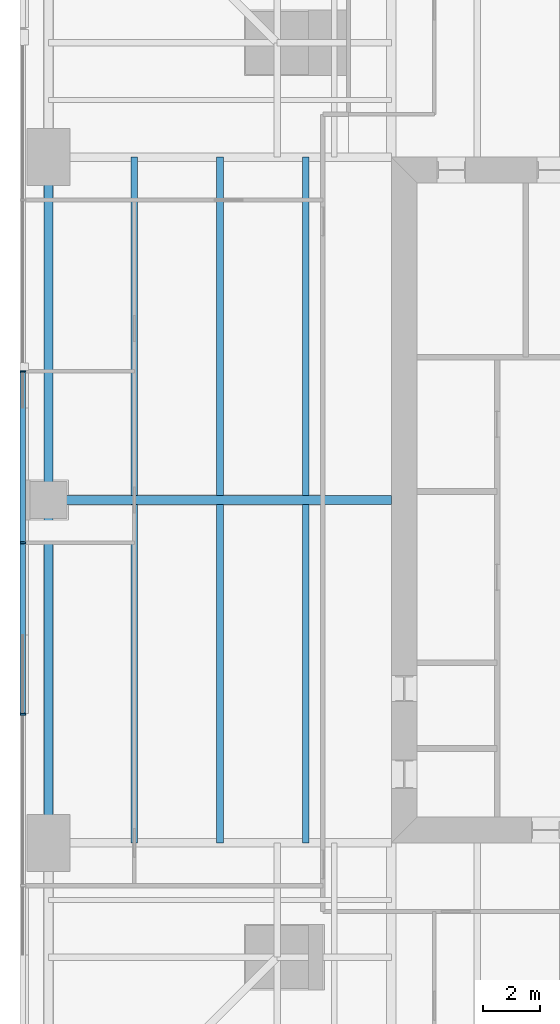
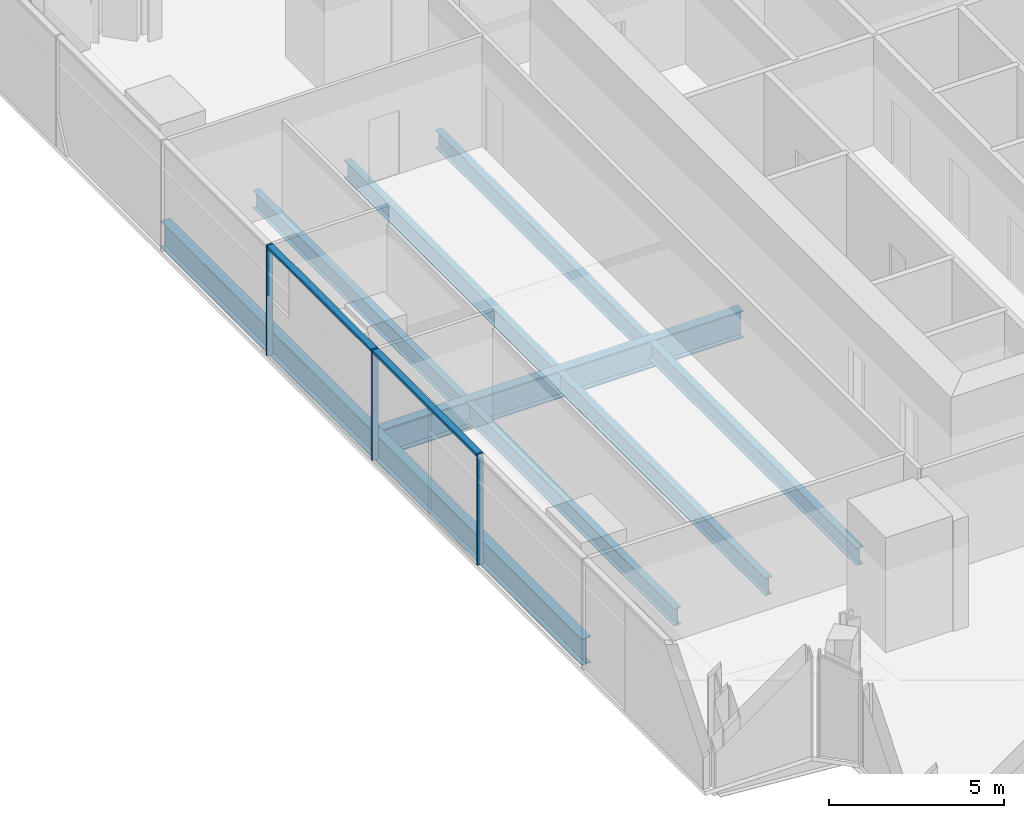
# One storey, part 4 of 13: 9 beams, 5 members, 1 element without a shape of its own.
"""IFC4 building model written with IfcOpenShell, lengths in metres."""

from ifc_helpers import new_model, si_unit, direction, frame, origin, origin_2d, place, context, subcontext, project, spatial, rectangle, i_section, extrude, material, material_profile, profile_set, type_object, element, aggregate, save


model = new_model("IFC4")

# Units and contexts
model_context = context("Model", 3, precision=1e-05, world=origin(), true_north=direction((0.0, 1.0)))
body_context = subcontext(model_context, "Body", "Model", "MODEL_VIEW")
ifc_project = project(units=[si_unit("LENGTHUNIT", "METRE"), si_unit("AREAUNIT", "SQUARE_METRE"), si_unit("VOLUMEUNIT", "CUBIC_METRE"), si_unit("PLANEANGLEUNIT", "RADIAN"), si_unit("MASSUNIT", "GRAM", prefix="KILO")], contexts=[model_context])

# Site, building, storey
site_placement = place(None, origin())
site = spatial("IfcSite", under=ifc_project, at=site_placement, CompositionType="ELEMENT")
building_placement = place(site_placement, origin())
building = spatial("IfcBuilding", under=site, at=building_placement, Name="Fenwick Lantern Interchange", CompositionType="ELEMENT")
storey_placement = place(building_placement, frame((0.0, 0.0, 142.39990234375)))
storey = spatial("IfcBuildingStorey", under=building, at=storey_placement, Name="L33", CompositionType="ELEMENT", Elevation=142.39990234375)

# Beams
ifc_material_1 = material(Name="Steel ASTM A992 Grade 50", Category="steel")
ifc_material_profile_1 = material_profile(ifc_material_1, i_section(OverallWidth=0.3046875, OverallDepth=0.911865234375, WebThickness=0.015869140625, FlangeThickness=0.02392578125, at=origin_2d()), Name="W36X150")
ifc_profile_set_1 = profile_set([ifc_material_profile_1], Name="Steel ASTM A992 Grade 50")
beam_type_1 = type_object("IfcBeamType", Name="EDGE BEAM W36X150", PredefinedType="SPANDREL", material=ifc_profile_set_1)
for number, where, z_axis, x_axis, name in (
    (1, (1.0, 37.0, -0.605712890625), (0.0, -1.0, 0.0), (1.0, 0.0, 0.0), "L33/FR/W/EB2"),
    (2, (1.0, 25.0, -0.605712890625), (0.0, -1.0, 0.0), (1.0, 0.0, 0.0), "L33/FR/W/EB3"),
):
    element("IfcBeam", number, at=place(storey_placement, frame(where, z_axis=z_axis, x_axis=x_axis)), inside=storey, type_object=beam_type_1, Name=name, PredefinedType="SPANDREL", context=body_context, shape_type="SweptSolid", body=[
        extrude(i_section(OverallWidth=0.3046875, OverallDepth=0.911865234375, WebThickness=0.015869140625, FlangeThickness=0.02392578125, at=origin_2d()), origin(), (0.0, 0.0, 1.0), 12.0),
    ])
ifc_material_profile_2 = material_profile(ifc_material_1, i_section(OverallWidth=0.22900390625, OverallDepth=0.612060546875, WebThickness=0.011962890625, FlangeThickness=0.01953125, at=origin_2d()), Name="W24X84")
ifc_profile_set_2 = profile_set([ifc_material_profile_2], Name="Steel ASTM A992 Grade 50")
beam_type_2 = type_object("IfcBeamType", Name="FLOOR BEAM W24X84", PredefinedType="BEAM", material=ifc_profile_set_2)
for number, where, z_axis, x_axis, name in (
    (3, (4.0, 37.0, -0.4560546875), (0.0, -1.0, 0.0), (1.0, 0.0, 0.0), "L33/FR/W/B01"),
    (4, (7.0, 37.0, -0.4560546875), (0.0, -1.0, 0.0), (1.0, 0.0, 0.0), "L33/FR/W/B02"),
    (5, (10.0, 37.0, -0.4560546875), (0.0, -1.0, 0.0), (1.0, 0.0, 0.0), "L33/FR/W/B03"),
    (6, (4.0, 24.844970703125, -0.4560546875), (0.0, -1.0, 0.0), (1.0, 0.0, 0.0), "L33/FR/W/B04"),
    (7, (7.0, 24.844970703125, -0.4560546875), (0.0, -1.0, 0.0), (1.0, 0.0, 0.0), "L33/FR/W/B05"),
    (8, (10.0, 24.844970703125, -0.4560546875), (0.0, -1.0, 0.0), (1.0, 0.0, 0.0), "L33/FR/W/B06"),
):
    element("IfcBeam", number, at=place(storey_placement, frame(where, z_axis=z_axis, x_axis=x_axis)), inside=storey, type_object=beam_type_2, Name=name, PredefinedType="BEAM", context=body_context, shape_type="SweptSolid", body=[
        extrude(i_section(OverallWidth=0.22900390625, OverallDepth=0.612060546875, WebThickness=0.011962890625, FlangeThickness=0.01953125, at=origin_2d()), origin(), (0.0, 0.0, 1.0), 11.844970703125),
    ])
ifc_material_profile_3 = material_profile(ifc_material_1, i_section(OverallWidth=0.309814453125, OverallDepth=0.949951171875, WebThickness=0.0244140625, FlangeThickness=0.0439453125, at=origin_2d()), Name="W36X256")
ifc_profile_set_3 = profile_set([ifc_material_profile_3], Name="Steel ASTM A992 Grade 50")
beam_type_3 = type_object("IfcBeamType", Name="MOMENT-CONNECTED GIRDER W36X256", PredefinedType="BEAM", material=ifc_profile_set_3)
beam_placement = place(storey_placement, frame((1.0, 25.0, -0.625), z_axis=(1.0, 0.0, 0.0), x_axis=(0.0, 1.0, 0.0)))
element("IfcBeam", 9, at=beam_placement, inside=storey, type_object=beam_type_3, Name="L33/FR/W/R02", PredefinedType="BEAM", context=body_context, shape_type="SweptSolid", body=[
    extrude(i_section(OverallWidth=0.309814453125, OverallDepth=0.949951171875, WebThickness=0.0244140625, FlangeThickness=0.0439453125, at=origin_2d()), origin(), (0.0, 0.0, 1.0), 12.0),
])

# Curtain wall, members
ifc_material_2 = material(Name="Aluminium curtain wall frame", Category="aluminium")
curtain_wall_type = type_object("IfcCurtainWallType", Name="OFFICE CURTAIN WALL", PredefinedType="USERDEFINED", material=ifc_material_2)
curtain_wall_placement = place(storey_placement, origin())
curtain_wall = element("IfcCurtainWall", 10, at=curtain_wall_placement, inside=storey, type_object=curtain_wall_type, Name="Office curtain wall 13", ObjectType="OFFICE CURTAIN WALL", PredefinedType="USERDEFINED")
ifc_material_3 = material(Name="Aluminium extrusion", Category="aluminium")
ifc_material_profile_4 = material_profile(ifc_material_3, rectangle(XDim=0.199951171875, YDim=0.06494140625, at=origin_2d()), Name="OFFICE CURTAIN WALL MULLION 65 X 200")
ifc_profile_set_4 = profile_set([ifc_material_profile_4], Name="Aluminium extrusion")
member_type_1 = type_object("IfcMemberType", Name="OFFICE CURTAIN WALL MULLION 65 X 200", PredefinedType="MULLION", material=ifc_profile_set_4)
member_1_placement = place(storey_placement, frame((0.10009765625, 29.5, 0.0), z_axis=(0.0, 0.0, 1.0), x_axis=(1.0, 0.0, 0.0)))
member_1 = element("IfcMember", 11, at=member_1_placement, type_object=member_type_1, Name="L33/CW/13/M03", PredefinedType="MULLION", context=body_context, shape_type="SweptSolid", body=[
    extrude(rectangle(XDim=0.199951171875, YDim=0.06494140625, at=origin_2d()), origin(), (0.0, 0.0, 1.0), 3.85009765625),
])
member_2_placement = place(storey_placement, frame((0.10009765625, 23.5, 0.0), z_axis=(0.0, 0.0, 1.0), x_axis=(1.0, 0.0, 0.0)))
member_2 = element("IfcMember", 12, at=member_2_placement, type_object=member_type_1, Name="L33/CW/13/M04", PredefinedType="MULLION", context=body_context, shape_type="SweptSolid", body=[
    extrude(rectangle(XDim=0.199951171875, YDim=0.06494140625, at=origin_2d()), origin(), (0.0, 0.0, 1.0), 3.85009765625),
])
member_3_placement = place(storey_placement, frame((0.10009765625, 17.5, 0.0), z_axis=(0.0, 0.0, 1.0), x_axis=(1.0, 0.0, 0.0)))
member_3 = element("IfcMember", 13, at=member_3_placement, type_object=member_type_1, Name="L33/CW/13/M05", PredefinedType="MULLION", context=body_context, shape_type="SweptSolid", body=[
    extrude(rectangle(XDim=0.199951171875, YDim=0.06494140625, at=origin_2d()), origin(), (0.0, 0.0, 1.0), 3.85009765625),
])
ifc_material_profile_5 = material_profile(ifc_material_3, rectangle(XDim=0.199951171875, YDim=0.10009765625, at=origin_2d()), Name="OFFICE CURTAIN WALL TRANSOM 100 X 200")
ifc_profile_set_5 = profile_set([ifc_material_profile_5], Name="Aluminium extrusion")
member_type_2 = type_object("IfcMemberType", Name="OFFICE CURTAIN WALL TRANSOM 100 X 200", PredefinedType="MULLION", material=ifc_profile_set_5)
member_4_placement = place(storey_placement, frame((0.10009765625, 29.467529296875, 3.800048828125), z_axis=(0.0, -1.0, 0.0), x_axis=(1.0, 0.0, 0.0)))
member_4 = element("IfcMember", 14, at=member_4_placement, type_object=member_type_2, Name="L33/CW/13/T03", PredefinedType="MULLION", context=body_context, shape_type="SweptSolid", body=[
    extrude(rectangle(XDim=0.199951171875, YDim=0.10009765625, at=origin_2d()), origin(), (0.0, 0.0, 1.0), 5.93505859375),
])
member_5_placement = place(storey_placement, frame((0.10009765625, 23.467529296875, 3.800048828125), z_axis=(0.0, -1.0, 0.0), x_axis=(1.0, 0.0, 0.0)))
member_5 = element("IfcMember", 15, at=member_5_placement, type_object=member_type_2, Name="L33/CW/13/T04", PredefinedType="MULLION", context=body_context, shape_type="SweptSolid", body=[
    extrude(rectangle(XDim=0.199951171875, YDim=0.10009765625, at=origin_2d()), origin(), (0.0, 0.0, 1.0), 5.93505859375),
])
aggregate(curtain_wall, [member_1, member_2, member_3, member_4, member_5])

save(model, "model.ifc")
